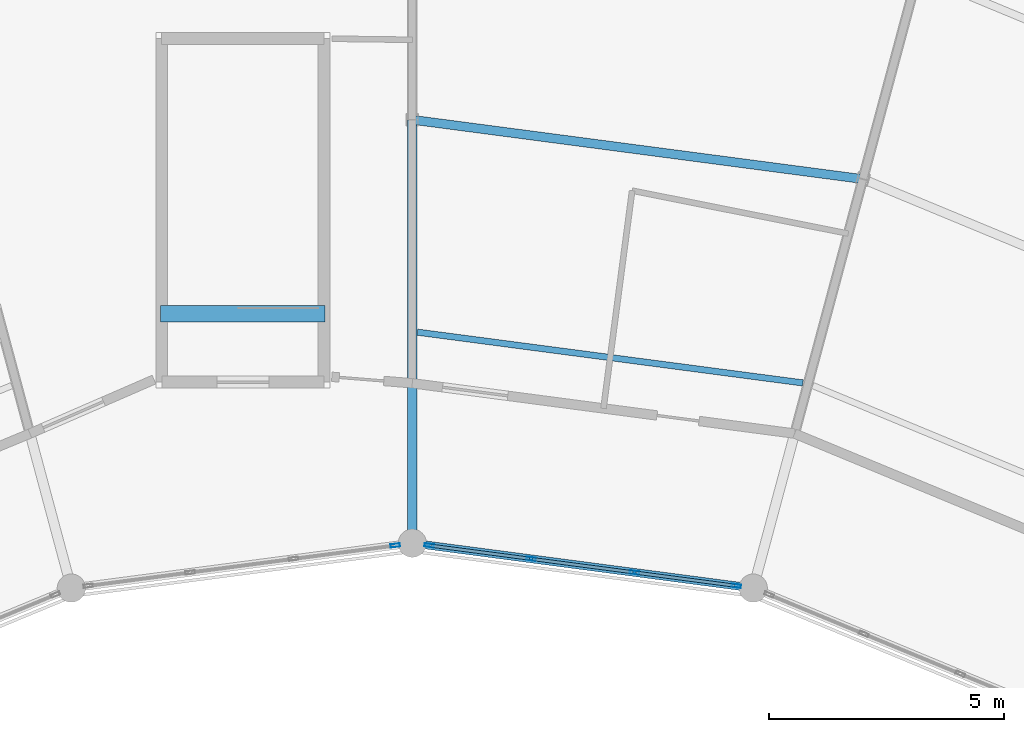
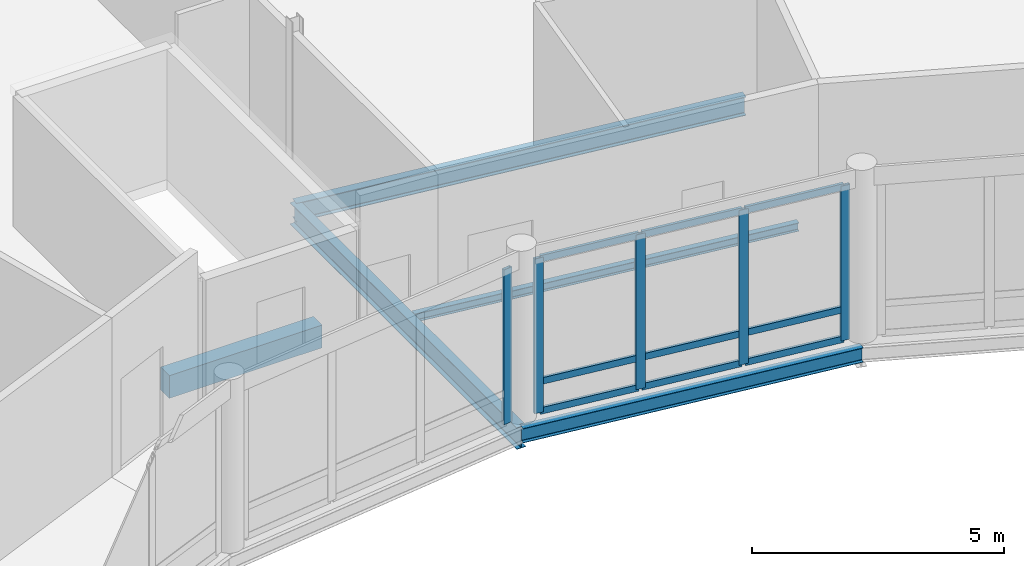
# One storey, part 98 of 200: 14 members, 5 beams, 2 elements without a shape of their own.
"""IFC4 building model written with IfcOpenShell, lengths in metres."""

from ifc_helpers import new_model, si_unit, direction, frame, origin, origin_2d, place, context, subcontext, project, spatial, rectangle, hollow_rectangle, i_section, extrude, material, material_profile, profile_set, type_object, element, aggregate, save


model = new_model("IFC4")

# Units and contexts
model_context = context("Model", 3, precision=1e-05, world=origin(), true_north=direction((0.0, 1.0)))
body_context = subcontext(model_context, "Body", "Model", "MODEL_VIEW")
ifc_project = project(units=[si_unit("LENGTHUNIT", "METRE"), si_unit("AREAUNIT", "SQUARE_METRE"), si_unit("VOLUMEUNIT", "CUBIC_METRE"), si_unit("PLANEANGLEUNIT", "RADIAN"), si_unit("MASSUNIT", "GRAM", prefix="KILO")], contexts=[model_context])

# Site, building, storey
site_placement = place(None, origin())
site = spatial("IfcSite", under=ifc_project, at=site_placement, CompositionType="ELEMENT")
building_placement = place(site_placement, origin())
building = spatial("IfcBuilding", under=site, at=building_placement, Name="Vondelvale Polytechnic", CompositionType="ELEMENT")
storey_placement = place(building_placement, frame((0.0, 0.0, 13.800048828125)))
storey = spatial("IfcBuildingStorey", under=building, at=storey_placement, Name="L03", CompositionType="ELEMENT", Elevation=13.800048828125)

# Beams
ifc_material_1 = material(Name="Concrete N40 (f'c = 40 MPa)", Category="concrete")
ifc_material_profile_1 = material_profile(ifc_material_1, rectangle(XDim=0.35009765625, YDim=0.550048828125, at=origin_2d()), Name="RC-BM-350x550")
ifc_profile_set_1 = profile_set([ifc_material_profile_1], Name="Concrete N40 (f'c = 40 MPa)")
beam_type_1 = type_object("IfcBeamType", Name="BM-RC350x550", PredefinedType="BEAM", material=ifc_profile_set_1)
beam_1_placement = place(storey_placement, frame((100.14990234375, 104.875, -0.275146484375), z_axis=(-1.0, 0.0, 0.0), x_axis=(0.0, -1.0, 0.0)))
element("IfcBeam", 1, at=beam_1_placement, inside=storey, type_object=beam_type_1, Name="L03 STHD B-06", PredefinedType="BEAM", context=body_context, shape_type="SweptSolid", body=[
    extrude(rectangle(XDim=0.35009765625, YDim=0.550048828125, at=origin_2d()), origin(), (0.0, 0.0, 1.0), 3.5),
])
ifc_material_2 = material(Name="Steel 300PLUS (fy = 300 MPa)", Category="steel")
ifc_material_profile_2 = material_profile(ifc_material_2, i_section(OverallWidth=0.1708984375, OverallDepth=0.35205078125, WebThickness=0.0068359375, FlangeThickness=0.009765625, FilletRadius=0.011474609375, at=origin_2d()), Name="360UB44.7")
ifc_profile_set_2 = profile_set([ifc_material_profile_2], Name="Steel 300PLUS (fy = 300 MPa)")
beam_type_2 = type_object("IfcBeamType", Name="BM-UB360L", PredefinedType="BEAM", material=ifc_profile_set_2)
beam_2_placement = place(storey_placement, frame((109.246826171875, 99.0458984375, -0.426025390625), z_axis=(-0.991444174467, 0.13053140969, 0.0), x_axis=(-0.13053140969, -0.991444174467, 0.0)))
element("IfcBeam", 2, at=beam_2_placement, inside=storey, type_object=beam_type_2, Name="L03 RB B-24", PredefinedType="BEAM", context=body_context, shape_type="SweptSolid", body=[
    extrude(i_section(OverallWidth=0.1708984375, OverallDepth=0.35205078125, WebThickness=0.0068359375, FlangeThickness=0.009765625, FilletRadius=0.011474609375, at=origin_2d()), origin(), (0.0, 0.0, 1.0), 7.309326171875),
])
ifc_material_profile_3 = material_profile(ifc_material_2, i_section(OverallWidth=0.18994140625, OverallDepth=0.4541015625, WebThickness=0.008544921875, FlangeThickness=0.0126953125, FilletRadius=0.011474609375, at=origin_2d()), Name="460UB67.1")
ifc_profile_set_3 = profile_set([ifc_material_profile_3], Name="Steel 300PLUS (fy = 300 MPa)")
beam_type_3 = type_object("IfcBeamType", Name="BM-UB460L", PredefinedType="BEAM", material=ifc_profile_set_3)
beam_3_placement = place(storey_placement, frame((111.576416015625, 107.7392578125, -0.47705078125), z_axis=(-0.991445087779, 0.130524472487, 0.0), x_axis=(-0.130524472487, -0.991445087779, 0.0)))
element("IfcBeam", 3, at=beam_3_placement, inside=storey, type_object=beam_type_3, Name="L03 RB B-22", PredefinedType="BEAM", context=body_context, shape_type="SweptSolid", body=[
    extrude(i_section(OverallWidth=0.18994140625, OverallDepth=0.4541015625, WebThickness=0.008544921875, FlangeThickness=0.0126953125, FilletRadius=0.011474609375, at=origin_2d()), origin(), (0.0, 0.0, 1.0), 9.658935546875),
])
ifc_material_profile_4 = material_profile(ifc_material_2, i_section(OverallWidth=0.208984375, OverallDepth=0.528076171875, WebThickness=0.009521484375, FlangeThickness=0.01318359375, FilletRadius=0.013916015625, at=origin_2d()), Name="530UB82.0")
ifc_profile_set_4 = profile_set([ifc_material_profile_4], Name="Steel 300PLUS (fy = 300 MPa)")
beam_type_4 = type_object("IfcBeamType", Name="BM-UB530L", PredefinedType="BEAM", material=ifc_profile_set_4)
beam_4_placement = place(storey_placement, frame((102.0, 100.0, -0.51416015625), z_axis=(0.0, 1.0, 0.0), x_axis=(-1.0, 0.0, 0.0)))
element("IfcBeam", 4, at=beam_4_placement, inside=storey, type_object=beam_type_4, Name="L03 RG B-21", PredefinedType="BEAM", context=body_context, shape_type="SweptSolid", body=[
    extrude(i_section(OverallWidth=0.208984375, OverallDepth=0.528076171875, WebThickness=0.009521484375, FlangeThickness=0.01318359375, FilletRadius=0.013916015625, at=origin_2d()), origin(), (0.0, 0.0, 1.0), 9.0),
])

# Curtain wall, members
ifc_material_3 = material(Name="Anodised extruded aluminium 6063-T6", Category="aluminium")
curtain_wall_type = type_object("IfcCurtainWallType", Name="CW-RING-CLOISTER", PredefinedType="NOTDEFINED", material=ifc_material_3)
curtain_wall_1_placement = place(storey_placement, origin())
curtain_wall_1 = element("IfcCurtainWall", 5, at=curtain_wall_1_placement, inside=storey, type_object=curtain_wall_type, Name="L03 architectural curtain wall CW-03-143", PredefinedType="NOTDEFINED")
ifc_material_profile_5 = material_profile(ifc_material_3, hollow_rectangle(XDim=0.070068359375, YDim=0.199951171875, WallThickness=0.00390625, at=origin_2d()), Name="CW-MUL-200x70")
ifc_profile_set_5 = profile_set([ifc_material_profile_5], Name="Anodised extruded aluminium 6063-T6")
member_type_1 = type_object("IfcMemberType", Name="CW-MUL-70x200", PredefinedType="MULLION", material=ifc_profile_set_5)
member_1_placement = place(storey_placement, frame((108.886474609375, 99.09326171875, 0.0), z_axis=(0.0, 0.0, 1.0), x_axis=(-0.130528007165, -0.99144462243, 0.0)))
member_1 = element("IfcMember", 6, at=member_1_placement, type_object=member_type_1, Name="CW-03-143 mullion 1", PredefinedType="MULLION", context=body_context, shape_type="SweptSolid", body=[
    extrude(hollow_rectangle(XDim=0.070068359375, YDim=0.199951171875, WallThickness=0.00390625, at=origin_2d()), origin(), (0.0, 0.0, 1.0), 3.75),
])
member_2_placement = place(storey_placement, frame((106.72265625, 99.378173828125, 0.0), z_axis=(0.0, 0.0, 1.0), x_axis=(-0.130528007165, -0.99144462243, 0.0)))
member_2 = element("IfcMember", 7, at=member_2_placement, type_object=member_type_1, Name="CW-03-143 mullion 2", PredefinedType="MULLION", context=body_context, shape_type="SweptSolid", body=[
    extrude(hollow_rectangle(XDim=0.070068359375, YDim=0.199951171875, WallThickness=0.00390625, at=origin_2d()), origin(), (0.0, 0.0, 1.0), 3.75),
])
member_3_placement = place(storey_placement, frame((104.524169921875, 99.667724609375, 0.0), z_axis=(0.0, 0.0, 1.0), x_axis=(-0.130528007165, -0.99144462243, 0.0)))
member_3 = element("IfcMember", 8, at=member_3_placement, type_object=member_type_1, Name="CW-03-143 mullion 3", PredefinedType="MULLION", context=body_context, shape_type="SweptSolid", body=[
    extrude(hollow_rectangle(XDim=0.070068359375, YDim=0.199951171875, WallThickness=0.00390625, at=origin_2d()), origin(), (0.0, 0.0, 1.0), 3.75),
])
member_4_placement = place(storey_placement, frame((102.360595703125, 99.95263671875, 0.0), z_axis=(0.0, 0.0, 1.0), x_axis=(-0.130528007165, -0.99144462243, 0.0)))
member_4 = element("IfcMember", 9, at=member_4_placement, type_object=member_type_1, Name="CW-03-143 mullion 4", PredefinedType="MULLION", context=body_context, shape_type="SweptSolid", body=[
    extrude(hollow_rectangle(XDim=0.070068359375, YDim=0.199951171875, WallThickness=0.00390625, at=origin_2d()), origin(), (0.0, 0.0, 1.0), 3.75),
])

# Curtain wall, member
curtain_wall_2_placement = place(storey_placement, origin())
curtain_wall_2 = element("IfcCurtainWall", 10, at=curtain_wall_2_placement, inside=storey, type_object=curtain_wall_type, Name="L03 architectural curtain wall CW-03-163", PredefinedType="NOTDEFINED")
member_5_placement = place(storey_placement, frame((101.639404296875, 99.95263671875, 0.0), z_axis=(0.0, 0.0, 1.0), x_axis=(0.130528007165, -0.99144462243, 0.0)))
member_5 = element("IfcMember", 11, at=member_5_placement, type_object=member_type_1, Name="CW-03-163 mullion 1", PredefinedType="MULLION", context=body_context, shape_type="SweptSolid", body=[
    extrude(hollow_rectangle(XDim=0.070068359375, YDim=0.199951171875, WallThickness=0.00390625, at=origin_2d()), origin(), (0.0, 0.0, 1.0), 3.75),
])
aggregate(curtain_wall_2, [member_5])

# Member
ifc_material_profile_6 = material_profile(ifc_material_3, hollow_rectangle(XDim=0.06494140625, YDim=0.159912109375, WallThickness=0.00341796875, at=origin_2d()), Name="CW-TRN-160x65")
ifc_profile_set_6 = profile_set([ifc_material_profile_6], Name="Anodised extruded aluminium 6063-T6")
member_type_2 = type_object("IfcMemberType", Name="CW-TRN-70x160", PredefinedType="USERDEFINED", material=ifc_profile_set_6)
member_6_placement = place(storey_placement, frame((108.851806640625, 99.097900390625, 0.032470703125), z_axis=(-0.991436585775, 0.130589036243, 0.0), x_axis=(-0.130589036243, -0.991436585775, 0.0)))
member_6 = element("IfcMember", 12, at=member_6_placement, type_object=member_type_2, Name="CW-03-143 transom 1.1", ObjectType="TRANSOM", PredefinedType="USERDEFINED", context=body_context, shape_type="SweptSolid", body=[
    extrude(hollow_rectangle(XDim=0.06494140625, YDim=0.159912109375, WallThickness=0.00341796875, at=origin_2d()), origin(), (0.0, 0.0, 1.0), 2.112548828125),
])

member_7_placement = place(storey_placement, frame((108.851806640625, 99.097900390625, 0.75), z_axis=(-0.991436585775, 0.130589036243, 0.0), x_axis=(-0.130589036243, -0.991436585775, 0.0)))
member_7 = element("IfcMember", 13, at=member_7_placement, type_object=member_type_2, Name="CW-03-143 transom 1.2", ObjectType="TRANSOM", PredefinedType="USERDEFINED", context=body_context, shape_type="SweptSolid", body=[
    extrude(hollow_rectangle(XDim=0.06494140625, YDim=0.159912109375, WallThickness=0.00341796875, at=origin_2d()), origin(), (0.0, 0.0, 1.0), 2.112548828125),
])

member_8_placement = place(storey_placement, frame((108.851806640625, 99.097900390625, 3.717529296875), z_axis=(-0.991436585775, 0.130589036243, 0.0), x_axis=(-0.130589036243, -0.991436585775, 0.0)))
member_8 = element("IfcMember", 14, at=member_8_placement, type_object=member_type_2, Name="CW-03-143 transom 1.3", ObjectType="TRANSOM", PredefinedType="USERDEFINED", context=body_context, shape_type="SweptSolid", body=[
    extrude(hollow_rectangle(XDim=0.06494140625, YDim=0.159912109375, WallThickness=0.00341796875, at=origin_2d()), origin(), (0.0, 0.0, 1.0), 2.112548828125),
])

member_9_placement = place(storey_placement, frame((106.68798828125, 99.3828125, 0.032470703125), z_axis=(-0.991446941977, 0.1305103875, 0.0), x_axis=(-0.1305103875, -0.991446941977, 0.0)))
member_9 = element("IfcMember", 15, at=member_9_placement, type_object=member_type_2, Name="CW-03-143 transom 2.1", ObjectType="TRANSOM", PredefinedType="USERDEFINED", context=body_context, shape_type="SweptSolid", body=[
    extrude(hollow_rectangle(XDim=0.06494140625, YDim=0.159912109375, WallThickness=0.00341796875, at=origin_2d()), origin(), (0.0, 0.0, 1.0), 2.1474609375),
])

member_10_placement = place(storey_placement, frame((106.68798828125, 99.3828125, 0.75), z_axis=(-0.991446941977, 0.1305103875, 0.0), x_axis=(-0.1305103875, -0.991446941977, 0.0)))
member_10 = element("IfcMember", 16, at=member_10_placement, type_object=member_type_2, Name="CW-03-143 transom 2.2", ObjectType="TRANSOM", PredefinedType="USERDEFINED", context=body_context, shape_type="SweptSolid", body=[
    extrude(hollow_rectangle(XDim=0.06494140625, YDim=0.159912109375, WallThickness=0.00341796875, at=origin_2d()), origin(), (0.0, 0.0, 1.0), 2.1474609375),
])

member_11_placement = place(storey_placement, frame((106.68798828125, 99.3828125, 3.717529296875), z_axis=(-0.991446941977, 0.1305103875, 0.0), x_axis=(-0.1305103875, -0.991446941977, 0.0)))
member_11 = element("IfcMember", 17, at=member_11_placement, type_object=member_type_2, Name="CW-03-143 transom 2.3", ObjectType="TRANSOM", PredefinedType="USERDEFINED", context=body_context, shape_type="SweptSolid", body=[
    extrude(hollow_rectangle(XDim=0.06494140625, YDim=0.159912109375, WallThickness=0.00341796875, at=origin_2d()), origin(), (0.0, 0.0, 1.0), 2.1474609375),
])

member_12_placement = place(storey_placement, frame((104.489501953125, 99.672119140625, 0.032470703125), z_axis=(-0.99143461464, 0.130604000296, 0.0), x_axis=(-0.130604000296, -0.99143461464, 0.0)))
member_12 = element("IfcMember", 18, at=member_12_placement, type_object=member_type_2, Name="CW-03-143 transom 3.1", ObjectType="TRANSOM", PredefinedType="USERDEFINED", context=body_context, shape_type="SweptSolid", body=[
    extrude(hollow_rectangle(XDim=0.06494140625, YDim=0.159912109375, WallThickness=0.00341796875, at=origin_2d()), origin(), (0.0, 0.0, 1.0), 2.1123046875),
])

member_13_placement = place(storey_placement, frame((104.489501953125, 99.672119140625, 0.75), z_axis=(-0.99143461464, 0.130604000296, 0.0), x_axis=(-0.130604000296, -0.99143461464, 0.0)))
member_13 = element("IfcMember", 19, at=member_13_placement, type_object=member_type_2, Name="CW-03-143 transom 3.2", ObjectType="TRANSOM", PredefinedType="USERDEFINED", context=body_context, shape_type="SweptSolid", body=[
    extrude(hollow_rectangle(XDim=0.06494140625, YDim=0.159912109375, WallThickness=0.00341796875, at=origin_2d()), origin(), (0.0, 0.0, 1.0), 2.1123046875),
])

member_14_placement = place(storey_placement, frame((104.489501953125, 99.672119140625, 3.717529296875), z_axis=(-0.99143461464, 0.130604000296, 0.0), x_axis=(-0.130604000296, -0.99143461464, 0.0)))
member_14 = element("IfcMember", 20, at=member_14_placement, type_object=member_type_2, Name="CW-03-143 transom 3.3", ObjectType="TRANSOM", PredefinedType="USERDEFINED", context=body_context, shape_type="SweptSolid", body=[
    extrude(hollow_rectangle(XDim=0.06494140625, YDim=0.159912109375, WallThickness=0.00341796875, at=origin_2d()), origin(), (0.0, 0.0, 1.0), 2.1123046875),
])

aggregate(curtain_wall_1, [member_1, member_2, member_3, member_4, member_6, member_7, member_8, member_9, member_10, member_11, member_12, member_13, member_14])

# Beam
ifc_material_profile_7 = material_profile(ifc_material_2, i_section(OverallWidth=0.133056640625, OverallDepth=0.202880859375, WebThickness=0.005859375, FlangeThickness=0.0078125, FilletRadius=0.0087890625, at=origin_2d()), Name="200UB25.4")
ifc_profile_set_7 = profile_set([ifc_material_profile_7], Name="Steel 300PLUS (fy = 300 MPa)")
beam_type_5 = type_object("IfcBeamType", Name="JST-UB200", PredefinedType="JOIST", material=ifc_profile_set_7)
beam_5_placement = place(storey_placement, frame((110.302490234375, 103.406982421875, -0.3515625), z_axis=(-0.991445847008, 0.130518705366, 0.0), x_axis=(-0.130518705366, -0.991445847008, 0.0)))
element("IfcBeam", 21, at=beam_5_placement, inside=storey, type_object=beam_type_5, Name="L03 RJ J-09", PredefinedType="JOIST", context=body_context, shape_type="SweptSolid", body=[
    extrude(i_section(OverallWidth=0.133056640625, OverallDepth=0.202880859375, WebThickness=0.005859375, FlangeThickness=0.0078125, FilletRadius=0.0087890625, at=origin_2d()), origin(), (0.0, 0.0, 1.0), 8.26416015625),
])

save(model, "model.ifc")
